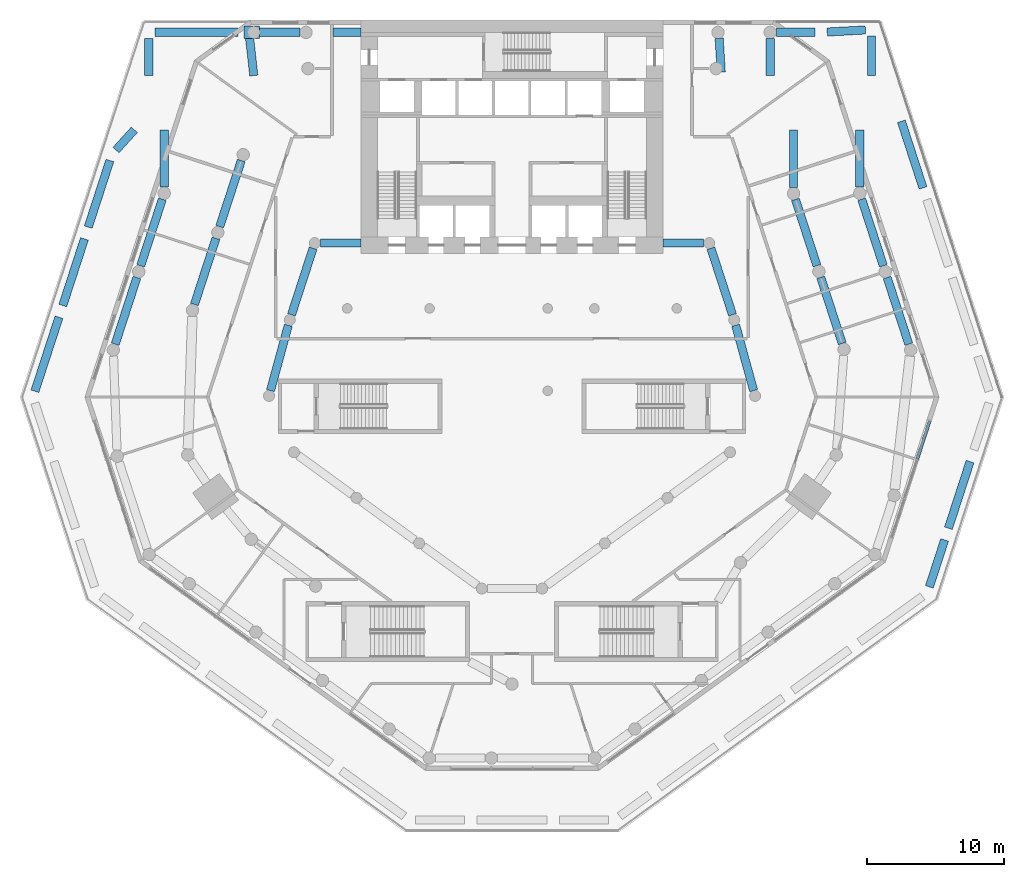
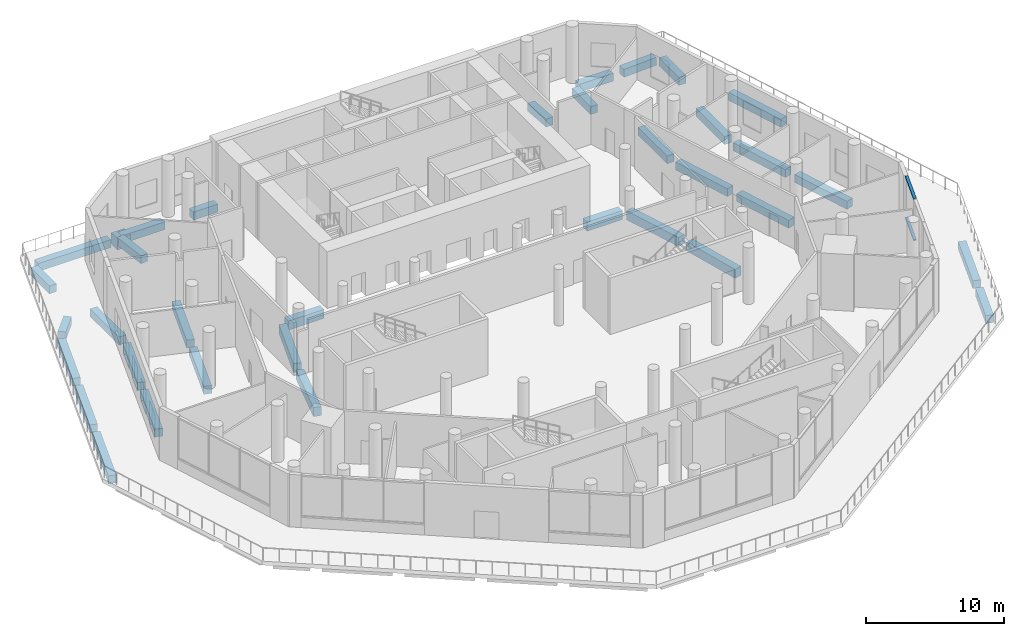
# One storey, part 6 of 19: 35 beams, 2 members, 1 element without a shape of its own.
"""IFC4 building model written with IfcOpenShell, lengths in metres."""

from ifc_helpers import new_model, si_unit, direction, frame, origin, origin_2d, place, context, subcontext, project, spatial, rectangle, extrude, material, material_profile, profile_set, type_object, element, aggregate, save


model = new_model("IFC4")

# Units and contexts
model_context = context("Model", 3, precision=1e-05, world=origin(), true_north=direction((0.0, 1.0)))
body_context = subcontext(model_context, "Body", "Model", "MODEL_VIEW")
ifc_project = project(units=[si_unit("LENGTHUNIT", "METRE"), si_unit("AREAUNIT", "SQUARE_METRE"), si_unit("VOLUMEUNIT", "CUBIC_METRE"), si_unit("PLANEANGLEUNIT", "RADIAN"), si_unit("MASSUNIT", "GRAM", prefix="KILO")], contexts=[model_context])

# Site, building, storey
site_placement = place(None, origin())
site = spatial("IfcSite", under=ifc_project, at=site_placement, CompositionType="ELEMENT")
building_placement = place(site_placement, origin())
building = spatial("IfcBuilding", under=site, at=building_placement, Name="White Candle Pilgrim Tower", CompositionType="ELEMENT")
storey_placement = place(building_placement, frame((0.0, 0.0, 29.0)))
storey = spatial("IfcBuildingStorey", under=building, at=storey_placement, Name="L04", CompositionType="ELEMENT", Elevation=29.0)

# Curtain wall, members
ifc_material_1 = material(Name="Aluminium and glass", Category="aluminium")
curtain_wall_type = type_object("IfcCurtainWallType", Name="Curtain wall CW3 refectory and meeting glazing", PredefinedType="NOTDEFINED", material=ifc_material_1)
curtain_wall_placement = place(storey_placement, origin())
curtain_wall = element("IfcCurtainWall", 1, at=curtain_wall_placement, inside=storey, type_object=curtain_wall_type, Name="Curtain wall CW3 L04 E chamfer", PredefinedType="NOTDEFINED")
ifc_material_2 = material(Name="Aluminium", Category="aluminium")
ifc_material_profile_1 = material_profile(ifc_material_2, rectangle(XDim=0.22509765625, YDim=0.1201171875, at=origin_2d()), Name="CW3 transom 120x225")
ifc_profile_set_1 = profile_set([ifc_material_profile_1], Name="Aluminium")
member_type = type_object("IfcMemberType", Name="CW3 transom 120x225", PredefinedType="USERDEFINED", material=ifc_profile_set_1)
member_1_placement = place(storey_placement, frame((99.505126953125, 56.02197265625, 0.9599609375), z_axis=(0.308995011864, 0.951063658565, 0.0), x_axis=(-0.951063658565, 0.308995011864, 0.0)))
member_1 = element("IfcMember", 2, at=member_1_placement, type_object=member_type, Name="CW3 transom 3.1", ObjectType="TRANSOM", PredefinedType="USERDEFINED", context=body_context, shape_type="SweptSolid", body=[
    extrude(rectangle(XDim=0.22509765625, YDim=0.1201171875, at=origin_2d()), origin(), (0.0, 0.0, 1.0), 2.909912109375),
])
member_2_placement = place(storey_placement, frame((99.505126953125, 56.02197265625, 4.590087890625), z_axis=(0.308995011864, 0.951063658565, 0.0), x_axis=(-0.951063658565, 0.308995011864, 0.0)))
member_2 = element("IfcMember", 3, at=member_2_placement, type_object=member_type, Name="CW3 transom 3.2", ObjectType="TRANSOM", PredefinedType="USERDEFINED", context=body_context, shape_type="SweptSolid", body=[
    extrude(rectangle(XDim=0.22509765625, YDim=0.1201171875, at=origin_2d()), origin(), (0.0, 0.0, 1.0), 2.909912109375),
])
aggregate(curtain_wall, [member_1, member_2])

# Beams
ifc_material_3 = material(Name="Concrete C50/60", Category="concrete")
ifc_material_profile_2 = material_profile(ifc_material_3, rectangle(XDim=0.60009765625, YDim=0.800048828125, at=origin_2d()), Name="RC-BM 600x800")
ifc_profile_set_2 = profile_set([ifc_material_profile_2], Name="Concrete C50/60")
beam_type_1 = type_object("IfcBeamType", Name="Ring beam RC-BM 600x800 C50/60", PredefinedType="BEAM", material=ifc_profile_set_2)
beam_1_placement = place(storey_placement, frame((87.593994140625, 61.015625, -0.75), z_axis=(-0.265050703949, 0.964234475808, 0.0), x_axis=(-0.964234475808, -0.265050703949, 0.0)))
element("IfcBeam", 4, at=beam_1_placement, inside=storey, type_object=beam_type_1, Name="L04 ring beam R08", PredefinedType="BEAM", context=body_context, shape_type="SweptSolid", body=[
    extrude(rectangle(XDim=0.60009765625, YDim=0.800048828125, at=origin_2d()), origin(), (0.0, 0.0, 1.0), 4.935302734375),
])
beam_2_placement = place(storey_placement, frame((86.056396484375, 66.540283203125, -0.75), z_axis=(-0.30907956305, 0.951036184225, 0.0), x_axis=(-0.951036184225, -0.30907956305, 0.0)))
element("IfcBeam", 5, at=beam_2_placement, inside=storey, type_object=beam_type_1, Name="L04 ring beam R09", PredefinedType="BEAM", context=body_context, shape_type="SweptSolid", body=[
    extrude(rectangle(XDim=0.60009765625, YDim=0.800048828125, at=origin_2d()), origin(), (0.0, 0.0, 1.0), 5.088623046875),
])
for number, where, z_axis, x_axis, name in (
    (6, (83.9599609375, 71.760009765625, -0.75), (-1.0, 0.0, 0.0), (0.0, -1.0, 0.0), "L04 ring beam R10"),
    (7, (56.0400390625, 71.760009765625, -0.75), (1.0, 0.0, 0.0), (0.0, 1.0, 0.0), "L04 ring beam R11"),
):
    element("IfcBeam", number, at=place(storey_placement, frame(where, z_axis=z_axis, x_axis=x_axis)), inside=storey, type_object=beam_type_1, Name=name, PredefinedType="BEAM", context=body_context, shape_type="SweptSolid", body=[
        extrude(rectangle(XDim=0.60009765625, YDim=0.800048828125, at=origin_2d()), origin(), (0.0, 0.0, 1.0), 2.9599609375),
    ])
beam_3_placement = place(storey_placement, frame((55.516357421875, 71.379638671875, -0.75), z_axis=(-0.30907956305, -0.951036184225, 0.0), x_axis=(0.951036184225, -0.30907956305, 0.0)))
element("IfcBeam", 8, at=beam_3_placement, inside=storey, type_object=beam_type_1, Name="L04 ring beam R12", PredefinedType="BEAM", context=body_context, shape_type="SweptSolid", body=[
    extrude(rectangle(XDim=0.60009765625, YDim=0.800048828125, at=origin_2d()), origin(), (0.0, 0.0, 1.0), 5.088623046875),
])
beam_4_placement = place(storey_placement, frame((53.714599609375, 65.774169921875, -0.75), z_axis=(-0.263418939206, -0.964681534221, 0.0), x_axis=(0.964681534221, -0.263418939206, 0.0)))
element("IfcBeam", 9, at=beam_4_placement, inside=storey, type_object=beam_type_1, Name="L04 ring beam R13", PredefinedType="BEAM", context=body_context, shape_type="SweptSolid", body=[
    extrude(rectangle(XDim=0.60009765625, YDim=0.800048828125, at=origin_2d()), origin(), (0.0, 0.0, 1.0), 4.9326171875),
])
ifc_material_profile_3 = material_profile(ifc_material_3, rectangle(XDim=0.60009765625, YDim=0.699951171875, at=origin_2d()), Name="RC-BM 600x700")
ifc_profile_set_3 = profile_set([ifc_material_profile_3], Name="Concrete C50/60")
beam_type_2 = type_object("IfcBeamType", Name="Spandrel beam RC-BM 600x700 C50/60", PredefinedType="BEAM", material=ifc_profile_set_3)
for number, where, z_axis, x_axis, name in (
    (10, (94.041015625, 64.447998046875, -0.699951171875), (-0.308620298764, 0.951185319058, 0.0), (-0.951185319058, -0.308620298764, 0.0), "L04 spandrel beam T09"),
    (11, (92.201171875, 70.117919921875, -0.699951171875), (-0.308663940381, 0.951171158051, 0.0), (-0.951171158051, -0.308663940381, 0.0), "L04 spandrel beam T10"),
):
    element("IfcBeam", number, at=place(storey_placement, frame(where, z_axis=z_axis, x_axis=x_axis)), inside=storey, type_object=beam_type_2, Name=name, PredefinedType="BEAM", context=body_context, shape_type="SweptSolid", body=[
        extrude(rectangle(XDim=0.60009765625, YDim=0.699951171875, at=origin_2d()), origin(), (0.0, 0.0, 1.0), 5.061279296875),
    ])
beam_5_placement = place(storey_placement, frame((90.5, 75.81005859375, -0.699951171875), z_axis=(0.0, 1.0, 0.0), x_axis=(-1.0, 0.0, 0.0)))
element("IfcBeam", 12, at=beam_5_placement, inside=storey, type_object=beam_type_2, Name="L04 spandrel beam T11", PredefinedType="BEAM", context=body_context, shape_type="SweptSolid", body=[
    extrude(rectangle(XDim=0.60009765625, YDim=0.699951171875, at=origin_2d()), origin(), (0.0, 0.0, 1.0), 4.18994140625),
])
beam_6_placement = place(storey_placement, frame((50.29052734375, 77.772216796875, -0.699951171875), z_axis=(-0.310219521213, -0.950664950789, 0.0), x_axis=(0.950664950789, -0.310219521213, 0.0)))
element("IfcBeam", 13, at=beam_6_placement, inside=storey, type_object=beam_type_2, Name="L04 spandrel beam T12", PredefinedType="BEAM", context=body_context, shape_type="SweptSolid", body=[
    extrude(rectangle(XDim=0.60009765625, YDim=0.699951171875, at=origin_2d()), origin(), (0.0, 0.0, 1.0), 5.064208984375),
])
beam_7_placement = place(storey_placement, frame((48.441162109375, 72.10205078125, -0.699951171875), z_axis=(-0.308663940381, -0.951171158051, 0.0), x_axis=(0.951171158051, -0.308663940381, 0.0)))
element("IfcBeam", 14, at=beam_7_placement, inside=storey, type_object=beam_type_2, Name="L04 spandrel beam T13", PredefinedType="BEAM", context=body_context, shape_type="SweptSolid", body=[
    extrude(rectangle(XDim=0.60009765625, YDim=0.699951171875, at=origin_2d()), origin(), (0.0, 0.0, 1.0), 5.061279296875),
])
beam_8_placement = place(storey_placement, frame((100.388916015625, 46.727783203125, -0.699951171875), z_axis=(0.309029111375, 0.951052579158, 0.0), x_axis=(-0.951052579158, 0.309029111375, 0.0)))
element("IfcBeam", 15, at=beam_8_placement, inside=storey, type_object=beam_type_2, Name="L04 spandrel beam B17", PredefinedType="BEAM", context=body_context, shape_type="SweptSolid", body=[
    extrude(rectangle(XDim=0.60009765625, YDim=0.699951171875, at=origin_2d()), origin(), (0.0, 0.0, 1.0), 3.5859375),
])
beam_9_placement = place(storey_placement, frame((101.77490234375, 50.993896484375, -0.699951171875), z_axis=(0.308996245399, 0.951063257796, 0.0), x_axis=(-0.951063257796, 0.308996245399, 0.0)))
element("IfcBeam", 16, at=beam_9_placement, inside=storey, type_object=beam_type_2, Name="L04 spandrel beam B18", PredefinedType="BEAM", context=body_context, shape_type="SweptSolid", body=[
    extrude(rectangle(XDim=0.60009765625, YDim=0.699951171875, at=origin_2d()), origin(), (0.0, 0.0, 1.0), 5.100830078125),
])
beam_10_placement = place(storey_placement, frame((99.926025390625, 75.773681640625, -0.699951171875), z_axis=(-0.308995149369, 0.95106361389, 0.0), x_axis=(-0.95106361389, -0.308995149369, 0.0)))
element("IfcBeam", 17, at=beam_10_placement, inside=storey, type_object=beam_type_2, Name="L04 spandrel beam B23", PredefinedType="BEAM", context=body_context, shape_type="SweptSolid", body=[
    extrude(rectangle(XDim=0.60009765625, YDim=0.699951171875, at=origin_2d()), origin(), (0.0, 0.0, 1.0), 5.10009765625),
])
beam_11_placement = place(storey_placement, frame((96.180908203125, 86.85009765625, -0.699951171875), z_axis=(0.0, -1.0, 0.0), x_axis=(1.0, 0.0, 0.0)))
element("IfcBeam", 18, at=beam_11_placement, inside=storey, type_object=beam_type_2, Name="L04 spandrel beam B24", PredefinedType="BEAM", context=body_context, shape_type="SweptSolid", body=[
    extrude(rectangle(XDim=0.60009765625, YDim=0.699951171875, at=origin_2d()), origin(), (0.0, 0.0, 1.0), 2.900146484375),
])
beam_12_placement = place(storey_placement, frame((43.5439453125, 86.64990234375, -0.699951171875), z_axis=(0.0, -1.0, 0.0), x_axis=(1.0, 0.0, 0.0)))
element("IfcBeam", 19, at=beam_12_placement, inside=storey, type_object=beam_type_2, Name="L04 spandrel beam B25", PredefinedType="BEAM", context=body_context, shape_type="SweptSolid", body=[
    extrude(rectangle(XDim=0.60009765625, YDim=0.699951171875, at=origin_2d()), origin(), (0.0, 0.0, 1.0), 2.699951171875),
])
beam_13_placement = place(storey_placement, frame((41.16455078125, 78.53173828125, -0.699951171875), z_axis=(0.67285645111, 0.739773070745, 0.0), x_axis=(-0.739773070745, 0.67285645111, 0.0)))
element("IfcBeam", 20, at=beam_13_placement, inside=storey, type_object=beam_type_2, Name="L04 spandrel beam B26", PredefinedType="BEAM", context=body_context, shape_type="SweptSolid", body=[
    extrude(rectangle(XDim=0.60009765625, YDim=0.699951171875, at=origin_2d()), origin(), (0.0, 0.0, 1.0), 1.98486328125),
])
beam_14_placement = place(storey_placement, frame((40.722900390625, 77.771240234375, -0.699951171875), z_axis=(-0.309009217467, -0.951059043131, 0.0), x_axis=(0.951059043131, -0.309009217467, 0.0)))
element("IfcBeam", 21, at=beam_14_placement, inside=storey, type_object=beam_type_2, Name="L04 spandrel beam B27", PredefinedType="BEAM", context=body_context, shape_type="SweptSolid", body=[
    extrude(rectangle(XDim=0.60009765625, YDim=0.699951171875, at=origin_2d()), origin(), (0.0, 0.0, 1.0), 5.099853515625),
])
beam_15_placement = place(storey_placement, frame((38.868896484375, 72.065185546875, -0.699951171875), z_axis=(-0.30918240299, -0.951002755875, 0.0), x_axis=(0.951002755875, -0.30918240299, 0.0)))
element("IfcBeam", 22, at=beam_15_placement, inside=storey, type_object=beam_type_2, Name="L04 spandrel beam B28", PredefinedType="BEAM", context=body_context, shape_type="SweptSolid", body=[
    extrude(rectangle(XDim=0.60009765625, YDim=0.699951171875, at=origin_2d()), origin(), (0.0, 0.0, 1.0), 5.100341796875),
])
beam_16_placement = place(storey_placement, frame((37.01416015625, 66.359130859375, -0.699951171875), z_axis=(-0.308880615933, -0.951100817527, 0.0), x_axis=(0.951100817527, -0.308880615933, 0.0)))
element("IfcBeam", 23, at=beam_16_placement, inside=storey, type_object=beam_type_2, Name="L04 spandrel beam B29", PredefinedType="BEAM", context=body_context, shape_type="SweptSolid", body=[
    extrude(rectangle(XDim=0.60009765625, YDim=0.699951171875, at=origin_2d()), origin(), (0.0, 0.0, 1.0), 5.669677734375),
])
beam_17_placement = place(storey_placement, frame((98.89111328125, 64.396728515625, -0.699951171875), z_axis=(-0.308982180599, 0.951067827272, 0.0), x_axis=(-0.951067827272, -0.308982180599, 0.0)))
element("IfcBeam", 24, at=beam_17_placement, inside=storey, type_object=beam_type_2, Name="L04 spandrel beam C16", PredefinedType="BEAM", context=body_context, shape_type="SweptSolid", body=[
    extrude(rectangle(XDim=0.60009765625, YDim=0.699951171875, at=origin_2d()), origin(), (0.0, 0.0, 1.0), 5.10107421875),
])
beam_18_placement = place(storey_placement, frame((97.037109375, 70.103759765625, -0.699951171875), z_axis=(-0.30905251673, 0.951044973649, 0.0), x_axis=(-0.951044973649, -0.30905251673, 0.0)))
element("IfcBeam", 25, at=beam_18_placement, inside=storey, type_object=beam_type_2, Name="L04 spandrel beam C17", PredefinedType="BEAM", context=body_context, shape_type="SweptSolid", body=[
    extrude(rectangle(XDim=0.60009765625, YDim=0.699951171875, at=origin_2d()), origin(), (0.0, 0.0, 1.0), 5.10009765625),
])
beam_19_placement = place(storey_placement, frame((95.322021484375, 75.83203125, -0.699951171875), z_axis=(0.0, 1.0, 0.0), x_axis=(-1.0, 0.0, 0.0)))
element("IfcBeam", 26, at=beam_19_placement, inside=storey, type_object=beam_type_2, Name="L04 spandrel beam C18", PredefinedType="BEAM", context=body_context, shape_type="SweptSolid", body=[
    extrude(rectangle(XDim=0.60009765625, YDim=0.699951171875, at=origin_2d()), origin(), (0.0, 0.0, 1.0), 4.16796875),
])
beam_20_placement = place(storey_placement, frame((88.800048828125, 86.64990234375, -0.699951171875), z_axis=(0.0, -1.0, 0.0), x_axis=(1.0, 0.0, 0.0)))
element("IfcBeam", 27, at=beam_20_placement, inside=storey, type_object=beam_type_2, Name="L04 spandrel beam C19", PredefinedType="BEAM", context=body_context, shape_type="SweptSolid", body=[
    extrude(rectangle(XDim=0.60009765625, YDim=0.699951171875, at=origin_2d()), origin(), (0.0, 0.0, 1.0), 2.699951171875),
])
beam_21_placement = place(storey_placement, frame((50.875244140625, 86.851806640625, -0.699951171875), z_axis=(0.111202343508, -0.993797785668, 0.0), x_axis=(0.993797785668, 0.111202343508, 0.0)))
element("IfcBeam", 28, at=beam_21_placement, inside=storey, type_object=beam_type_2, Name="L04 spandrel beam C20", PredefinedType="BEAM", context=body_context, shape_type="SweptSolid", body=[
    extrude(rectangle(XDim=0.60009765625, YDim=0.699951171875, at=origin_2d()), origin(), (0.0, 0.0, 1.0), 2.919921875),
])
beam_22_placement = place(storey_placement, frame((44.677978515625, 75.83203125, -0.699951171875), z_axis=(0.0, 1.0, 0.0), x_axis=(-1.0, 0.0, 0.0)))
element("IfcBeam", 29, at=beam_22_placement, inside=storey, type_object=beam_type_2, Name="L04 spandrel beam C21", PredefinedType="BEAM", context=body_context, shape_type="SweptSolid", body=[
    extrude(rectangle(XDim=0.60009765625, YDim=0.699951171875, at=origin_2d()), origin(), (0.0, 0.0, 1.0), 4.16796875),
])
beam_23_placement = place(storey_placement, frame((44.5390625, 74.9541015625, -0.699951171875), z_axis=(-0.30905251673, -0.951044973649, 0.0), x_axis=(0.951044973649, -0.30905251673, 0.0)))
element("IfcBeam", 30, at=beam_23_placement, inside=storey, type_object=beam_type_2, Name="L04 spandrel beam C22", PredefinedType="BEAM", context=body_context, shape_type="SweptSolid", body=[
    extrude(rectangle(XDim=0.60009765625, YDim=0.699951171875, at=origin_2d()), origin(), (0.0, 0.0, 1.0), 5.10009765625),
])
beam_24_placement = place(storey_placement, frame((42.68505859375, 69.248291015625, -0.699951171875), z_axis=(-0.308982180599, -0.951067827272, 0.0), x_axis=(0.951067827272, -0.308982180599, 0.0)))
element("IfcBeam", 31, at=beam_24_placement, inside=storey, type_object=beam_type_2, Name="L04 spandrel beam C23", PredefinedType="BEAM", context=body_context, shape_type="SweptSolid", body=[
    extrude(rectangle(XDim=0.60009765625, YDim=0.699951171875, at=origin_2d()), origin(), (0.0, 0.0, 1.0), 5.10107421875),
])
beam_25_placement = place(storey_placement, frame((43.993896484375, 87.10009765625, -0.699951171875), z_axis=(1.0, 0.0, 0.0), x_axis=(0.0, 1.0, 0.0)))
element("IfcBeam", 32, at=beam_25_placement, inside=storey, type_object=beam_type_2, Name="L04 spandrel beam N01", PredefinedType="BEAM", context=body_context, shape_type="SweptSolid", body=[
    extrude(rectangle(XDim=0.60009765625, YDim=0.699951171875, at=origin_2d()), origin(), (0.0, 0.0, 1.0), 6.05615234375),
])
beam_26_placement = place(storey_placement, frame((50.949951171875, 87.10009765625, -0.699951171875), z_axis=(1.0, 0.0, 0.0), x_axis=(0.0, 1.0, 0.0)))
element("IfcBeam", 33, at=beam_26_placement, inside=storey, type_object=beam_type_2, Name="L04 spandrel beam N02", PredefinedType="BEAM", context=body_context, shape_type="SweptSolid", body=[
    extrude(rectangle(XDim=0.60009765625, YDim=0.699951171875, at=origin_2d()), origin(), (0.0, 0.0, 1.0), 3.60009765625),
])
beam_27_placement = place(storey_placement, frame((56.949951171875, 87.10009765625, -0.699951171875), z_axis=(1.0, 0.0, 0.0), x_axis=(0.0, 1.0, 0.0)))
element("IfcBeam", 34, at=beam_27_placement, inside=storey, type_object=beam_type_2, Name="L04 spandrel beam N03", PredefinedType="BEAM", context=body_context, shape_type="SweptSolid", body=[
    extrude(rectangle(XDim=0.60009765625, YDim=0.699951171875, at=origin_2d()), origin(), (0.0, 0.0, 1.0), 2.050048828125),
])
beam_28_placement = place(storey_placement, frame((85.084228515625, 86.658203125, -0.699951171875), z_axis=(0.061114110735, -0.998130785754, 0.0), x_axis=(0.998130785754, 0.061114110735, 0.0)))
element("IfcBeam", 35, at=beam_28_placement, inside=storey, type_object=beam_type_2, Name="L04 spandrel beam N04", PredefinedType="BEAM", context=body_context, shape_type="SweptSolid", body=[
    extrude(rectangle(XDim=0.60009765625, YDim=0.699951171875, at=origin_2d()), origin(), (0.0, 0.0, 1.0), 2.452880859375),
])
beam_29_placement = place(storey_placement, frame((89.25, 87.10009765625, -0.699951171875), z_axis=(1.0, 0.0, 0.0), x_axis=(0.0, 1.0, 0.0)))
element("IfcBeam", 36, at=beam_29_placement, inside=storey, type_object=beam_type_2, Name="L04 spandrel beam N05", PredefinedType="BEAM", context=body_context, shape_type="SweptSolid", body=[
    extrude(rectangle(XDim=0.60009765625, YDim=0.699951171875, at=origin_2d()), origin(), (0.0, 0.0, 1.0), 2.800048828125),
])
beam_30_placement = place(storey_placement, frame((92.94921875, 87.12451171875, -0.699951171875), z_axis=(0.998528329196, 0.05423260821, 0.0), x_axis=(-0.05423260821, 0.998528329196, 0.0)))
element("IfcBeam", 37, at=beam_30_placement, inside=storey, type_object=beam_type_2, Name="L04 spandrel beam N06", PredefinedType="BEAM", context=body_context, shape_type="SweptSolid", body=[
    extrude(rectangle(XDim=0.60009765625, YDim=0.699951171875, at=origin_2d()), origin(), (0.0, 0.0, 1.0), 2.78662109375),
])
ifc_material_profile_4 = material_profile(ifc_material_3, rectangle(XDim=0.89990234375, YDim=1.0, at=origin_2d()), Name="RC-BM 900x1000")
ifc_profile_set_4 = profile_set([ifc_material_profile_4], Name="Concrete C50/60")
beam_type_3 = type_object("IfcBeamType", Name="Transfer girder RC-BM 900x1000 C50/60", PredefinedType="BEAM", material=ifc_profile_set_4)
beam_31_placement = place(storey_placement, frame((50.5, 87.10009765625, -0.85009765625), z_axis=(1.0, 0.0, 0.0), x_axis=(0.0, 1.0, 0.0)))
element("IfcBeam", 38, at=beam_31_placement, inside=storey, type_object=beam_type_3, Name="L04 transfer girder C22", PredefinedType="BEAM", context=body_context, shape_type="SweptSolid", body=[
    extrude(rectangle(XDim=0.89990234375, YDim=1.0, at=origin_2d()), origin(), (0.0, 0.0, 1.0), 1.10009765625),
])

save(model, "model.ifc")
